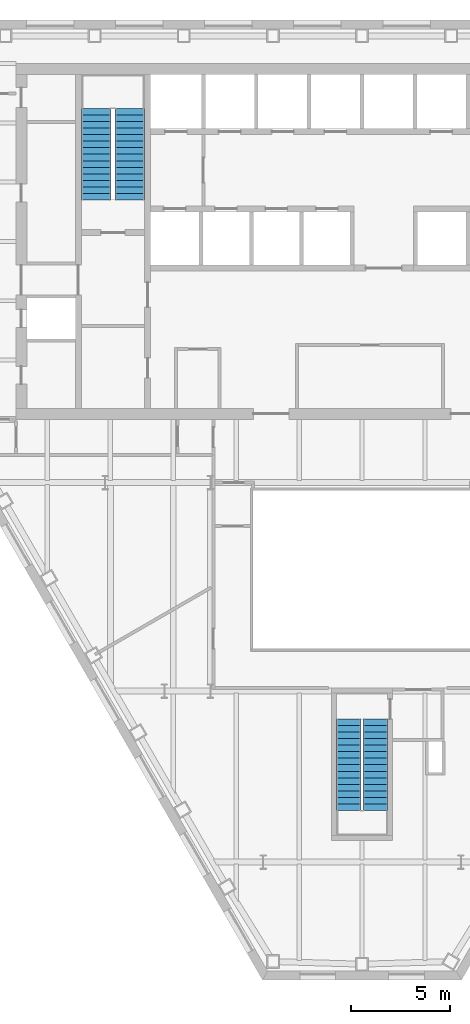
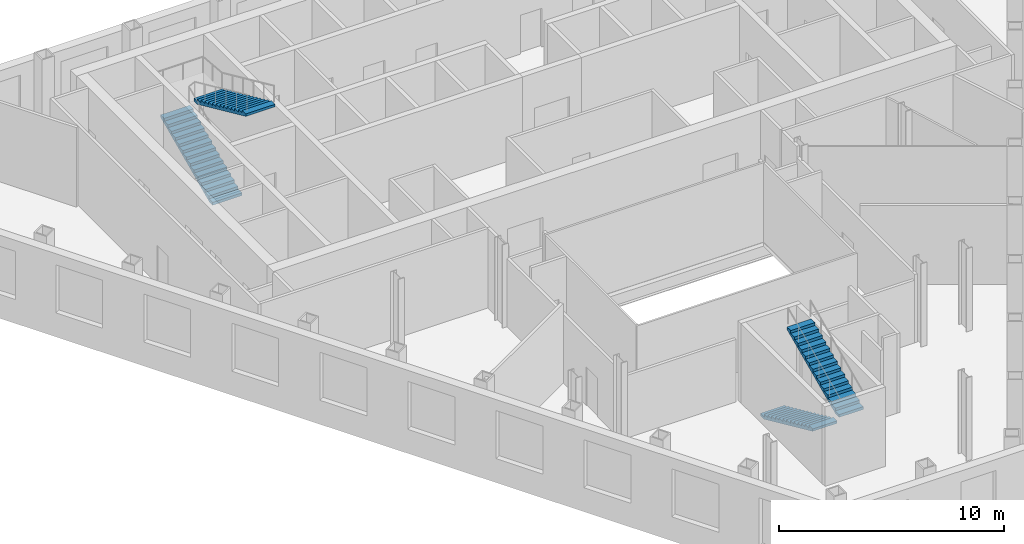
# One storey, part 9 of 11: 4 stair flights, 2 elements without a shape of their own.
"""IFC4 building model written with IfcOpenShell, lengths in metres."""

from ifc_helpers import new_model, si_unit, direction, frame, origin, place, context, subcontext, project, spatial, polygons, material, type_object, element, aggregate, save


model = new_model("IFC4")

# Units and contexts
model_context = context("Model", 3, precision=1e-05, world=origin(), true_north=direction((0.0, 1.0)))
body_context = subcontext(model_context, "Body", "Model", "MODEL_VIEW")
ifc_project = project(units=[si_unit("LENGTHUNIT", "METRE"), si_unit("AREAUNIT", "SQUARE_METRE"), si_unit("VOLUMEUNIT", "CUBIC_METRE"), si_unit("PLANEANGLEUNIT", "RADIAN"), si_unit("MASSUNIT", "GRAM", prefix="KILO")], contexts=[model_context])

# Site, building, storey
site_placement = place(None, origin())
site = spatial("IfcSite", under=ifc_project, at=site_placement, CompositionType="ELEMENT")
building_placement = place(site_placement, origin())
building = spatial("IfcBuilding", under=site, at=building_placement, Name="Njiva Tower", CompositionType="ELEMENT")
storey_placement = place(building_placement, frame((0.0, 0.0, 102.3)))
storey = spatial("IfcBuildingStorey", under=building, at=storey_placement, Name="L21", CompositionType="ELEMENT", Elevation=102.3)

# Stair, stair flights
ifc_material = material(Name="Concrete C40/50", Category="concrete")
stair_type_1 = type_object("IfcStairType", Name="ST1 Exit stair 1250", PredefinedType="HALF_TURN_STAIR", material=ifc_material)
stair_1_placement = place(storey_placement, origin())
stair_1 = element("IfcStair", 1, at=stair_1_placement, inside=storey, type_object=stair_type_1, Name="Stair C", PredefinedType="HALF_TURN_STAIR")
stair_flight_type_1 = type_object("IfcStairFlightType", Name="FL1 Stair flight 1250", PredefinedType="STRAIGHT", material=ifc_material)
stair_flight_1_placement = place(storey_placement, frame((-0.675, -15.16, 0.0), z_axis=(0.0, 0.0, 1.0), x_axis=(0.0, -1.0, 0.0)))
stair_flight_1 = element("IfcStairFlight", 2, at=stair_flight_1_placement, type_object=stair_flight_type_1, Name="ST-C flight 1", NumberOfRisers=15, NumberOfTreads=14, PredefinedType="STRAIGHT", RiserHeight=0.15, TreadLength=0.33, context=body_context, shape_type="Tessellation", body=[
    polygons([(0.0, 0.625, 0.0), (0.0, 0.3125, 0.0), (0.0, 0.0, 0.0), (0.0, -0.3125, 0.0), (0.0, -0.625, 0.0), (0.0, 0.625, 0.15), (0.0, 0.3125, 0.15), (0.0, 0.0, 0.15), (0.0, -0.3125, 0.15), (0.0, -0.625, 0.15), (0.33, 0.625, 0.15), (0.33, 0.3125, 0.15), (0.33, 0.0, 0.15), (0.33, -0.3125, 0.15), (0.33, -0.625, 0.15), (0.33, 0.625, 0.3), (0.33, 0.3125, 0.3), (0.33, 0.0, 0.3), (0.33, -0.3125, 0.3), (0.33, -0.625, 0.3), (0.66, 0.625, 0.3), (0.66, 0.3125, 0.3), (0.66, 0.0, 0.3), (0.66, -0.3125, 0.3), (0.66, -0.625, 0.3), (0.66, 0.625, 0.45), (0.66, 0.3125, 0.45), (0.66, 0.0, 0.45), (0.66, -0.3125, 0.45), (0.66, -0.625, 0.45), (0.99, 0.625, 0.45), (0.99, 0.3125, 0.45), (0.99, 0.0, 0.45), (0.99, -0.3125, 0.45), (0.99, -0.625, 0.45), (0.99, 0.625, 0.6), (0.99, 0.3125, 0.6), (0.99, 0.0, 0.6), (0.99, -0.3125, 0.6), (0.99, -0.625, 0.6), (1.32, 0.625, 0.6), (1.32, 0.3125, 0.6), (1.32, 0.0, 0.6), (1.32, -0.3125, 0.6), (1.32, -0.625, 0.6), (1.32, 0.625, 0.75), (1.32, 0.3125, 0.75), (1.32, 0.0, 0.75), (1.32, -0.3125, 0.75), (1.32, -0.625, 0.75), (1.65, 0.625, 0.75), (1.65, 0.3125, 0.75), (1.65, 0.0, 0.75), (1.65, -0.3125, 0.75), (1.65, -0.625, 0.75), (1.65, 0.625, 0.9), (1.65, 0.3125, 0.9), (1.65, 0.0, 0.9), (1.65, -0.3125, 0.9), (1.65, -0.625, 0.9), (1.98, 0.625, 0.9), (1.98, 0.3125, 0.9), (1.98, 0.0, 0.9), (1.98, -0.3125, 0.9), (1.98, -0.625, 0.9), (1.98, 0.625, 1.05), (1.98, 0.3125, 1.05), (1.98, 0.0, 1.05), (1.98, -0.3125, 1.05), (1.98, -0.625, 1.05), (2.31, 0.625, 1.05), (2.31, 0.3125, 1.05), (2.31, 0.0, 1.05), (2.31, -0.3125, 1.05), (2.31, -0.625, 1.05), (2.31, 0.625, 1.2), (2.31, 0.3125, 1.2), (2.31, 0.0, 1.2), (2.31, -0.3125, 1.2), (2.31, -0.625, 1.2), (2.64, 0.625, 1.2), (2.64, 0.3125, 1.2), (2.64, 0.0, 1.2), (2.64, -0.3125, 1.2), (2.64, -0.625, 1.2), (2.64, 0.625, 1.35), (2.64, 0.3125, 1.35), (2.64, 0.0, 1.35), (2.64, -0.3125, 1.35), (2.64, -0.625, 1.35), (2.97, 0.625, 1.35), (2.97, 0.3125, 1.35), (2.97, 0.0, 1.35), (2.97, -0.3125, 1.35), (2.97, -0.625, 1.35), (2.97, 0.625, 1.5), (2.97, 0.3125, 1.5), (2.97, 0.0, 1.5), (2.97, -0.3125, 1.5), (2.97, -0.625, 1.5), (3.3, 0.625, 1.5), (3.3, 0.3125, 1.5), (3.3, 0.0, 1.5), (3.3, -0.3125, 1.5), (3.3, -0.625, 1.5), (3.3, 0.625, 1.65), (3.3, 0.3125, 1.65), (3.3, 0.0, 1.65), (3.3, -0.3125, 1.65), (3.3, -0.625, 1.65), (3.63, 0.625, 1.65), (3.63, 0.3125, 1.65), (3.63, 0.0, 1.65), (3.63, -0.3125, 1.65), (3.63, -0.625, 1.65), (3.63, 0.625, 1.8), (3.63, 0.3125, 1.8), (3.63, 0.0, 1.8), (3.63, -0.3125, 1.8), (3.63, -0.625, 1.8), (3.96, 0.625, 1.8), (3.96, 0.3125, 1.8), (3.96, 0.0, 1.8), (3.96, -0.3125, 1.8), (3.96, -0.625, 1.8), (3.96, 0.625, 1.95), (3.96, 0.3125, 1.95), (3.96, 0.0, 1.95), (3.96, -0.3125, 1.95), (3.96, -0.625, 1.95), (4.29, 0.625, 1.95), (4.29, 0.3125, 1.95), (4.29, 0.0, 1.95), (4.29, -0.3125, 1.95), (4.29, -0.625, 1.95), (4.29, 0.625, 2.1), (4.29, 0.3125, 2.1), (4.29, 0.0, 2.1), (4.29, -0.3125, 2.1), (4.29, -0.625, 2.1), (4.62, 0.625, 2.1), (4.62, 0.3125, 2.1), (4.62, 0.0, 2.1), (4.62, -0.3125, 2.1), (4.62, -0.625, 2.1), (4.62, 0.625, 1.9682), (4.62, 0.3125, 1.9682), (4.62, 0.0, 1.9682), (4.62, -0.3125, 1.9682), (4.62, -0.625, 1.9682), (0.29, 0.625, 0.0), (0.29, 0.3125, 0.0), (0.29, 0.0, 0.0), (0.29, -0.3125, 0.0), (0.29, -0.625, 0.0)], [[[1, 6, 11, 16, 21, 26, 31, 36, 41, 46, 51, 56, 61, 66, 71, 76, 81, 86, 91, 96, 101, 106, 111, 116, 121, 126, 131, 136, 141, 146, 151]], [[155, 150, 145, 140, 135, 130, 125, 120, 115, 110, 105, 100, 95, 90, 85, 80, 75, 70, 65, 60, 55, 50, 45, 40, 35, 30, 25, 20, 15, 10, 5]], [[6, 1, 2, 7]], [[7, 2, 3, 8]], [[8, 3, 4, 9]], [[9, 4, 5, 10]], [[11, 6, 7, 12]], [[12, 7, 8, 13]], [[13, 8, 9, 14]], [[14, 9, 10, 15]], [[16, 11, 12, 17]], [[17, 12, 13, 18]], [[18, 13, 14, 19]], [[19, 14, 15, 20]], [[21, 16, 17, 22]], [[22, 17, 18, 23]], [[23, 18, 19, 24]], [[24, 19, 20, 25]], [[26, 21, 22, 27]], [[27, 22, 23, 28]], [[28, 23, 24, 29]], [[29, 24, 25, 30]], [[31, 26, 27, 32]], [[32, 27, 28, 33]], [[33, 28, 29, 34]], [[34, 29, 30, 35]], [[36, 31, 32, 37]], [[37, 32, 33, 38]], [[38, 33, 34, 39]], [[39, 34, 35, 40]], [[41, 36, 37, 42]], [[42, 37, 38, 43]], [[43, 38, 39, 44]], [[44, 39, 40, 45]], [[46, 41, 42, 47]], [[47, 42, 43, 48]], [[48, 43, 44, 49]], [[49, 44, 45, 50]], [[51, 46, 47, 52]], [[52, 47, 48, 53]], [[53, 48, 49, 54]], [[54, 49, 50, 55]], [[56, 51, 52, 57]], [[57, 52, 53, 58]], [[58, 53, 54, 59]], [[59, 54, 55, 60]], [[61, 56, 57, 62]], [[62, 57, 58, 63]], [[63, 58, 59, 64]], [[64, 59, 60, 65]], [[66, 61, 62, 67]], [[67, 62, 63, 68]], [[68, 63, 64, 69]], [[69, 64, 65, 70]], [[71, 66, 67, 72]], [[72, 67, 68, 73]], [[73, 68, 69, 74]], [[74, 69, 70, 75]], [[76, 71, 72, 77]], [[77, 72, 73, 78]], [[78, 73, 74, 79]], [[79, 74, 75, 80]], [[81, 76, 77, 82]], [[82, 77, 78, 83]], [[83, 78, 79, 84]], [[84, 79, 80, 85]], [[86, 81, 82, 87]], [[87, 82, 83, 88]], [[88, 83, 84, 89]], [[89, 84, 85, 90]], [[91, 86, 87, 92]], [[92, 87, 88, 93]], [[93, 88, 89, 94]], [[94, 89, 90, 95]], [[96, 91, 92, 97]], [[97, 92, 93, 98]], [[98, 93, 94, 99]], [[99, 94, 95, 100]], [[101, 96, 97, 102]], [[102, 97, 98, 103]], [[103, 98, 99, 104]], [[104, 99, 100, 105]], [[106, 101, 102, 107]], [[107, 102, 103, 108]], [[108, 103, 104, 109]], [[109, 104, 105, 110]], [[111, 106, 107, 112]], [[112, 107, 108, 113]], [[113, 108, 109, 114]], [[114, 109, 110, 115]], [[116, 111, 112, 117]], [[117, 112, 113, 118]], [[118, 113, 114, 119]], [[119, 114, 115, 120]], [[121, 116, 117, 122]], [[122, 117, 118, 123]], [[123, 118, 119, 124]], [[124, 119, 120, 125]], [[126, 121, 122, 127]], [[127, 122, 123, 128]], [[128, 123, 124, 129]], [[129, 124, 125, 130]], [[131, 126, 127, 132]], [[132, 127, 128, 133]], [[133, 128, 129, 134]], [[134, 129, 130, 135]], [[136, 131, 132, 137]], [[137, 132, 133, 138]], [[138, 133, 134, 139]], [[139, 134, 135, 140]], [[141, 136, 137, 142]], [[142, 137, 138, 143]], [[143, 138, 139, 144]], [[144, 139, 140, 145]], [[146, 141, 142, 147]], [[147, 142, 143, 148]], [[148, 143, 144, 149]], [[149, 144, 145, 150]], [[151, 146, 147, 152]], [[152, 147, 148, 153]], [[153, 148, 149, 154]], [[154, 149, 150, 155]], [[1, 151, 152, 2]], [[2, 152, 153, 3]], [[3, 153, 154, 4]], [[4, 154, 155, 5]]], closed=True),
])
stair_flight_2_placement = place(storey_placement, frame((0.675, -19.78, 2.25), z_axis=(0.0, 0.0, 1.0), x_axis=(0.0, 1.0, 0.0)))
stair_flight_2 = element("IfcStairFlight", 3, at=stair_flight_2_placement, type_object=stair_flight_type_1, Name="ST-C flight 2", NumberOfRisers=15, NumberOfTreads=14, PredefinedType="STRAIGHT", RiserHeight=0.15, TreadLength=0.33, context=body_context, shape_type="Tessellation", body=[
    polygons([(0.0, 0.625, 0.0), (0.0, 0.3125, 0.0), (0.0, 0.0, 0.0), (0.0, -0.3125, 0.0), (0.0, -0.625, 0.0), (0.0, 0.625, 0.15), (0.0, 0.3125, 0.15), (0.0, 0.0, 0.15), (0.0, -0.3125, 0.15), (0.0, -0.625, 0.15), (0.33, 0.625, 0.15), (0.33, 0.3125, 0.15), (0.33, 0.0, 0.15), (0.33, -0.3125, 0.15), (0.33, -0.625, 0.15), (0.33, 0.625, 0.3), (0.33, 0.3125, 0.3), (0.33, 0.0, 0.3), (0.33, -0.3125, 0.3), (0.33, -0.625, 0.3), (0.66, 0.625, 0.3), (0.66, 0.3125, 0.3), (0.66, 0.0, 0.3), (0.66, -0.3125, 0.3), (0.66, -0.625, 0.3), (0.66, 0.625, 0.45), (0.66, 0.3125, 0.45), (0.66, 0.0, 0.45), (0.66, -0.3125, 0.45), (0.66, -0.625, 0.45), (0.99, 0.625, 0.45), (0.99, 0.3125, 0.45), (0.99, 0.0, 0.45), (0.99, -0.3125, 0.45), (0.99, -0.625, 0.45), (0.99, 0.625, 0.6), (0.99, 0.3125, 0.6), (0.99, 0.0, 0.6), (0.99, -0.3125, 0.6), (0.99, -0.625, 0.6), (1.32, 0.625, 0.6), (1.32, 0.3125, 0.6), (1.32, 0.0, 0.6), (1.32, -0.3125, 0.6), (1.32, -0.625, 0.6), (1.32, 0.625, 0.75), (1.32, 0.3125, 0.75), (1.32, 0.0, 0.75), (1.32, -0.3125, 0.75), (1.32, -0.625, 0.75), (1.65, 0.625, 0.75), (1.65, 0.3125, 0.75), (1.65, 0.0, 0.75), (1.65, -0.3125, 0.75), (1.65, -0.625, 0.75), (1.65, 0.625, 0.9), (1.65, 0.3125, 0.9), (1.65, 0.0, 0.9), (1.65, -0.3125, 0.9), (1.65, -0.625, 0.9), (1.98, 0.625, 0.9), (1.98, 0.3125, 0.9), (1.98, 0.0, 0.9), (1.98, -0.3125, 0.9), (1.98, -0.625, 0.9), (1.98, 0.625, 1.05), (1.98, 0.3125, 1.05), (1.98, 0.0, 1.05), (1.98, -0.3125, 1.05), (1.98, -0.625, 1.05), (2.31, 0.625, 1.05), (2.31, 0.3125, 1.05), (2.31, 0.0, 1.05), (2.31, -0.3125, 1.05), (2.31, -0.625, 1.05), (2.31, 0.625, 1.2), (2.31, 0.3125, 1.2), (2.31, 0.0, 1.2), (2.31, -0.3125, 1.2), (2.31, -0.625, 1.2), (2.64, 0.625, 1.2), (2.64, 0.3125, 1.2), (2.64, 0.0, 1.2), (2.64, -0.3125, 1.2), (2.64, -0.625, 1.2), (2.64, 0.625, 1.35), (2.64, 0.3125, 1.35), (2.64, 0.0, 1.35), (2.64, -0.3125, 1.35), (2.64, -0.625, 1.35), (2.97, 0.625, 1.35), (2.97, 0.3125, 1.35), (2.97, 0.0, 1.35), (2.97, -0.3125, 1.35), (2.97, -0.625, 1.35), (2.97, 0.625, 1.5), (2.97, 0.3125, 1.5), (2.97, 0.0, 1.5), (2.97, -0.3125, 1.5), (2.97, -0.625, 1.5), (3.3, 0.625, 1.5), (3.3, 0.3125, 1.5), (3.3, 0.0, 1.5), (3.3, -0.3125, 1.5), (3.3, -0.625, 1.5), (3.3, 0.625, 1.65), (3.3, 0.3125, 1.65), (3.3, 0.0, 1.65), (3.3, -0.3125, 1.65), (3.3, -0.625, 1.65), (3.63, 0.625, 1.65), (3.63, 0.3125, 1.65), (3.63, 0.0, 1.65), (3.63, -0.3125, 1.65), (3.63, -0.625, 1.65), (3.63, 0.625, 1.8), (3.63, 0.3125, 1.8), (3.63, 0.0, 1.8), (3.63, -0.3125, 1.8), (3.63, -0.625, 1.8), (3.96, 0.625, 1.8), (3.96, 0.3125, 1.8), (3.96, 0.0, 1.8), (3.96, -0.3125, 1.8), (3.96, -0.625, 1.8), (3.96, 0.625, 1.95), (3.96, 0.3125, 1.95), (3.96, 0.0, 1.95), (3.96, -0.3125, 1.95), (3.96, -0.625, 1.95), (4.29, 0.625, 1.95), (4.29, 0.3125, 1.95), (4.29, 0.0, 1.95), (4.29, -0.3125, 1.95), (4.29, -0.625, 1.95), (4.29, 0.625, 2.1), (4.29, 0.3125, 2.1), (4.29, 0.0, 2.1), (4.29, -0.3125, 2.1), (4.29, -0.625, 2.1), (4.62, 0.625, 2.1), (4.62, 0.3125, 2.1), (4.62, 0.0, 2.1), (4.62, -0.3125, 2.1), (4.62, -0.625, 2.1), (4.62, 0.625, 1.9682), (4.62, 0.3125, 1.9682), (4.62, 0.0, 1.9682), (4.62, -0.3125, 1.9682), (4.62, -0.625, 1.9682), (0.29, 0.625, 0.0), (0.29, 0.3125, 0.0), (0.29, 0.0, 0.0), (0.29, -0.3125, 0.0), (0.29, -0.625, 0.0)], [[[1, 6, 11, 16, 21, 26, 31, 36, 41, 46, 51, 56, 61, 66, 71, 76, 81, 86, 91, 96, 101, 106, 111, 116, 121, 126, 131, 136, 141, 146, 151]], [[155, 150, 145, 140, 135, 130, 125, 120, 115, 110, 105, 100, 95, 90, 85, 80, 75, 70, 65, 60, 55, 50, 45, 40, 35, 30, 25, 20, 15, 10, 5]], [[6, 1, 2, 7]], [[7, 2, 3, 8]], [[8, 3, 4, 9]], [[9, 4, 5, 10]], [[11, 6, 7, 12]], [[12, 7, 8, 13]], [[13, 8, 9, 14]], [[14, 9, 10, 15]], [[16, 11, 12, 17]], [[17, 12, 13, 18]], [[18, 13, 14, 19]], [[19, 14, 15, 20]], [[21, 16, 17, 22]], [[22, 17, 18, 23]], [[23, 18, 19, 24]], [[24, 19, 20, 25]], [[26, 21, 22, 27]], [[27, 22, 23, 28]], [[28, 23, 24, 29]], [[29, 24, 25, 30]], [[31, 26, 27, 32]], [[32, 27, 28, 33]], [[33, 28, 29, 34]], [[34, 29, 30, 35]], [[36, 31, 32, 37]], [[37, 32, 33, 38]], [[38, 33, 34, 39]], [[39, 34, 35, 40]], [[41, 36, 37, 42]], [[42, 37, 38, 43]], [[43, 38, 39, 44]], [[44, 39, 40, 45]], [[46, 41, 42, 47]], [[47, 42, 43, 48]], [[48, 43, 44, 49]], [[49, 44, 45, 50]], [[51, 46, 47, 52]], [[52, 47, 48, 53]], [[53, 48, 49, 54]], [[54, 49, 50, 55]], [[56, 51, 52, 57]], [[57, 52, 53, 58]], [[58, 53, 54, 59]], [[59, 54, 55, 60]], [[61, 56, 57, 62]], [[62, 57, 58, 63]], [[63, 58, 59, 64]], [[64, 59, 60, 65]], [[66, 61, 62, 67]], [[67, 62, 63, 68]], [[68, 63, 64, 69]], [[69, 64, 65, 70]], [[71, 66, 67, 72]], [[72, 67, 68, 73]], [[73, 68, 69, 74]], [[74, 69, 70, 75]], [[76, 71, 72, 77]], [[77, 72, 73, 78]], [[78, 73, 74, 79]], [[79, 74, 75, 80]], [[81, 76, 77, 82]], [[82, 77, 78, 83]], [[83, 78, 79, 84]], [[84, 79, 80, 85]], [[86, 81, 82, 87]], [[87, 82, 83, 88]], [[88, 83, 84, 89]], [[89, 84, 85, 90]], [[91, 86, 87, 92]], [[92, 87, 88, 93]], [[93, 88, 89, 94]], [[94, 89, 90, 95]], [[96, 91, 92, 97]], [[97, 92, 93, 98]], [[98, 93, 94, 99]], [[99, 94, 95, 100]], [[101, 96, 97, 102]], [[102, 97, 98, 103]], [[103, 98, 99, 104]], [[104, 99, 100, 105]], [[106, 101, 102, 107]], [[107, 102, 103, 108]], [[108, 103, 104, 109]], [[109, 104, 105, 110]], [[111, 106, 107, 112]], [[112, 107, 108, 113]], [[113, 108, 109, 114]], [[114, 109, 110, 115]], [[116, 111, 112, 117]], [[117, 112, 113, 118]], [[118, 113, 114, 119]], [[119, 114, 115, 120]], [[121, 116, 117, 122]], [[122, 117, 118, 123]], [[123, 118, 119, 124]], [[124, 119, 120, 125]], [[126, 121, 122, 127]], [[127, 122, 123, 128]], [[128, 123, 124, 129]], [[129, 124, 125, 130]], [[131, 126, 127, 132]], [[132, 127, 128, 133]], [[133, 128, 129, 134]], [[134, 129, 130, 135]], [[136, 131, 132, 137]], [[137, 132, 133, 138]], [[138, 133, 134, 139]], [[139, 134, 135, 140]], [[141, 136, 137, 142]], [[142, 137, 138, 143]], [[143, 138, 139, 144]], [[144, 139, 140, 145]], [[146, 141, 142, 147]], [[147, 142, 143, 148]], [[148, 143, 144, 149]], [[149, 144, 145, 150]], [[151, 146, 147, 152]], [[152, 147, 148, 153]], [[153, 148, 149, 154]], [[154, 149, 150, 155]], [[1, 151, 152, 2]], [[2, 152, 153, 3]], [[3, 153, 154, 4]], [[4, 154, 155, 5]]], closed=True),
])
aggregate(stair_1, [stair_flight_1, stair_flight_2])

stair_type_2 = type_object("IfcStairType", Name="ST4 Exit stair 1500", PredefinedType="HALF_TURN_STAIR", material=ifc_material)
stair_2_placement = place(storey_placement, origin())
stair_2 = element("IfcStair", 4, at=stair_2_placement, inside=storey, type_object=stair_type_2, Name="Stair A", PredefinedType="HALF_TURN_STAIR")
stair_flight_type_2 = type_object("IfcStairFlightType", Name="FL4 Stair flight 1500", PredefinedType="STRAIGHT", material=ifc_material)
stair_flight_3_placement = place(storey_placement, frame((-13.45, 11.1, 0.0), z_axis=(0.0, 0.0, 1.0), x_axis=(0.0, 1.0, 0.0)))
stair_flight_3 = element("IfcStairFlight", 5, at=stair_flight_3_placement, type_object=stair_flight_type_2, Name="ST-A flight 1", NumberOfRisers=15, NumberOfTreads=14, PredefinedType="STRAIGHT", RiserHeight=0.15, TreadLength=0.33, context=body_context, shape_type="Tessellation", body=[
    polygons([(0.0, 0.75, 0.0), (0.0, 0.375, 0.0), (0.0, 0.0, 0.0), (0.0, -0.375, 0.0), (0.0, -0.75, 0.0), (0.0, 0.75, 0.15), (0.0, 0.375, 0.15), (0.0, 0.0, 0.15), (0.0, -0.375, 0.15), (0.0, -0.75, 0.15), (0.33, 0.75, 0.15), (0.33, 0.375, 0.15), (0.33, 0.0, 0.15), (0.33, -0.375, 0.15), (0.33, -0.75, 0.15), (0.33, 0.75, 0.3), (0.33, 0.375, 0.3), (0.33, 0.0, 0.3), (0.33, -0.375, 0.3), (0.33, -0.75, 0.3), (0.66, 0.75, 0.3), (0.66, 0.375, 0.3), (0.66, 0.0, 0.3), (0.66, -0.375, 0.3), (0.66, -0.75, 0.3), (0.66, 0.75, 0.45), (0.66, 0.375, 0.45), (0.66, 0.0, 0.45), (0.66, -0.375, 0.45), (0.66, -0.75, 0.45), (0.99, 0.75, 0.45), (0.99, 0.375, 0.45), (0.99, 0.0, 0.45), (0.99, -0.375, 0.45), (0.99, -0.75, 0.45), (0.99, 0.75, 0.6), (0.99, 0.375, 0.6), (0.99, 0.0, 0.6), (0.99, -0.375, 0.6), (0.99, -0.75, 0.6), (1.32, 0.75, 0.6), (1.32, 0.375, 0.6), (1.32, 0.0, 0.6), (1.32, -0.375, 0.6), (1.32, -0.75, 0.6), (1.32, 0.75, 0.75), (1.32, 0.375, 0.75), (1.32, 0.0, 0.75), (1.32, -0.375, 0.75), (1.32, -0.75, 0.75), (1.65, 0.75, 0.75), (1.65, 0.375, 0.75), (1.65, 0.0, 0.75), (1.65, -0.375, 0.75), (1.65, -0.75, 0.75), (1.65, 0.75, 0.9), (1.65, 0.375, 0.9), (1.65, 0.0, 0.9), (1.65, -0.375, 0.9), (1.65, -0.75, 0.9), (1.98, 0.75, 0.9), (1.98, 0.375, 0.9), (1.98, 0.0, 0.9), (1.98, -0.375, 0.9), (1.98, -0.75, 0.9), (1.98, 0.75, 1.05), (1.98, 0.375, 1.05), (1.98, 0.0, 1.05), (1.98, -0.375, 1.05), (1.98, -0.75, 1.05), (2.31, 0.75, 1.05), (2.31, 0.375, 1.05), (2.31, 0.0, 1.05), (2.31, -0.375, 1.05), (2.31, -0.75, 1.05), (2.31, 0.75, 1.2), (2.31, 0.375, 1.2), (2.31, 0.0, 1.2), (2.31, -0.375, 1.2), (2.31, -0.75, 1.2), (2.64, 0.75, 1.2), (2.64, 0.375, 1.2), (2.64, 0.0, 1.2), (2.64, -0.375, 1.2), (2.64, -0.75, 1.2), (2.64, 0.75, 1.35), (2.64, 0.375, 1.35), (2.64, 0.0, 1.35), (2.64, -0.375, 1.35), (2.64, -0.75, 1.35), (2.97, 0.75, 1.35), (2.97, 0.375, 1.35), (2.97, 0.0, 1.35), (2.97, -0.375, 1.35), (2.97, -0.75, 1.35), (2.97, 0.75, 1.5), (2.97, 0.375, 1.5), (2.97, 0.0, 1.5), (2.97, -0.375, 1.5), (2.97, -0.75, 1.5), (3.3, 0.75, 1.5), (3.3, 0.375, 1.5), (3.3, 0.0, 1.5), (3.3, -0.375, 1.5), (3.3, -0.75, 1.5), (3.3, 0.75, 1.65), (3.3, 0.375, 1.65), (3.3, 0.0, 1.65), (3.3, -0.375, 1.65), (3.3, -0.75, 1.65), (3.63, 0.75, 1.65), (3.63, 0.375, 1.65), (3.63, 0.0, 1.65), (3.63, -0.375, 1.65), (3.63, -0.75, 1.65), (3.63, 0.75, 1.8), (3.63, 0.375, 1.8), (3.63, 0.0, 1.8), (3.63, -0.375, 1.8), (3.63, -0.75, 1.8), (3.96, 0.75, 1.8), (3.96, 0.375, 1.8), (3.96, 0.0, 1.8), (3.96, -0.375, 1.8), (3.96, -0.75, 1.8), (3.96, 0.75, 1.95), (3.96, 0.375, 1.95), (3.96, 0.0, 1.95), (3.96, -0.375, 1.95), (3.96, -0.75, 1.95), (4.29, 0.75, 1.95), (4.29, 0.375, 1.95), (4.29, 0.0, 1.95), (4.29, -0.375, 1.95), (4.29, -0.75, 1.95), (4.29, 0.75, 2.1), (4.29, 0.375, 2.1), (4.29, 0.0, 2.1), (4.29, -0.375, 2.1), (4.29, -0.75, 2.1), (4.62, 0.75, 2.1), (4.62, 0.375, 2.1), (4.62, 0.0, 2.1), (4.62, -0.375, 2.1), (4.62, -0.75, 2.1), (4.62, 0.75, 1.9682), (4.62, 0.375, 1.9682), (4.62, 0.0, 1.9682), (4.62, -0.375, 1.9682), (4.62, -0.75, 1.9682), (0.29, 0.75, 0.0), (0.29, 0.375, 0.0), (0.29, 0.0, 0.0), (0.29, -0.375, 0.0), (0.29, -0.75, 0.0)], [[[1, 6, 11, 16, 21, 26, 31, 36, 41, 46, 51, 56, 61, 66, 71, 76, 81, 86, 91, 96, 101, 106, 111, 116, 121, 126, 131, 136, 141, 146, 151]], [[155, 150, 145, 140, 135, 130, 125, 120, 115, 110, 105, 100, 95, 90, 85, 80, 75, 70, 65, 60, 55, 50, 45, 40, 35, 30, 25, 20, 15, 10, 5]], [[6, 1, 2, 7]], [[7, 2, 3, 8]], [[8, 3, 4, 9]], [[9, 4, 5, 10]], [[11, 6, 7, 12]], [[12, 7, 8, 13]], [[13, 8, 9, 14]], [[14, 9, 10, 15]], [[16, 11, 12, 17]], [[17, 12, 13, 18]], [[18, 13, 14, 19]], [[19, 14, 15, 20]], [[21, 16, 17, 22]], [[22, 17, 18, 23]], [[23, 18, 19, 24]], [[24, 19, 20, 25]], [[26, 21, 22, 27]], [[27, 22, 23, 28]], [[28, 23, 24, 29]], [[29, 24, 25, 30]], [[31, 26, 27, 32]], [[32, 27, 28, 33]], [[33, 28, 29, 34]], [[34, 29, 30, 35]], [[36, 31, 32, 37]], [[37, 32, 33, 38]], [[38, 33, 34, 39]], [[39, 34, 35, 40]], [[41, 36, 37, 42]], [[42, 37, 38, 43]], [[43, 38, 39, 44]], [[44, 39, 40, 45]], [[46, 41, 42, 47]], [[47, 42, 43, 48]], [[48, 43, 44, 49]], [[49, 44, 45, 50]], [[51, 46, 47, 52]], [[52, 47, 48, 53]], [[53, 48, 49, 54]], [[54, 49, 50, 55]], [[56, 51, 52, 57]], [[57, 52, 53, 58]], [[58, 53, 54, 59]], [[59, 54, 55, 60]], [[61, 56, 57, 62]], [[62, 57, 58, 63]], [[63, 58, 59, 64]], [[64, 59, 60, 65]], [[66, 61, 62, 67]], [[67, 62, 63, 68]], [[68, 63, 64, 69]], [[69, 64, 65, 70]], [[71, 66, 67, 72]], [[72, 67, 68, 73]], [[73, 68, 69, 74]], [[74, 69, 70, 75]], [[76, 71, 72, 77]], [[77, 72, 73, 78]], [[78, 73, 74, 79]], [[79, 74, 75, 80]], [[81, 76, 77, 82]], [[82, 77, 78, 83]], [[83, 78, 79, 84]], [[84, 79, 80, 85]], [[86, 81, 82, 87]], [[87, 82, 83, 88]], [[88, 83, 84, 89]], [[89, 84, 85, 90]], [[91, 86, 87, 92]], [[92, 87, 88, 93]], [[93, 88, 89, 94]], [[94, 89, 90, 95]], [[96, 91, 92, 97]], [[97, 92, 93, 98]], [[98, 93, 94, 99]], [[99, 94, 95, 100]], [[101, 96, 97, 102]], [[102, 97, 98, 103]], [[103, 98, 99, 104]], [[104, 99, 100, 105]], [[106, 101, 102, 107]], [[107, 102, 103, 108]], [[108, 103, 104, 109]], [[109, 104, 105, 110]], [[111, 106, 107, 112]], [[112, 107, 108, 113]], [[113, 108, 109, 114]], [[114, 109, 110, 115]], [[116, 111, 112, 117]], [[117, 112, 113, 118]], [[118, 113, 114, 119]], [[119, 114, 115, 120]], [[121, 116, 117, 122]], [[122, 117, 118, 123]], [[123, 118, 119, 124]], [[124, 119, 120, 125]], [[126, 121, 122, 127]], [[127, 122, 123, 128]], [[128, 123, 124, 129]], [[129, 124, 125, 130]], [[131, 126, 127, 132]], [[132, 127, 128, 133]], [[133, 128, 129, 134]], [[134, 129, 130, 135]], [[136, 131, 132, 137]], [[137, 132, 133, 138]], [[138, 133, 134, 139]], [[139, 134, 135, 140]], [[141, 136, 137, 142]], [[142, 137, 138, 143]], [[143, 138, 139, 144]], [[144, 139, 140, 145]], [[146, 141, 142, 147]], [[147, 142, 143, 148]], [[148, 143, 144, 149]], [[149, 144, 145, 150]], [[151, 146, 147, 152]], [[152, 147, 148, 153]], [[153, 148, 149, 154]], [[154, 149, 150, 155]], [[1, 151, 152, 2]], [[2, 152, 153, 3]], [[3, 153, 154, 4]], [[4, 154, 155, 5]]], closed=True),
])
stair_flight_4_placement = place(storey_placement, frame((-11.75, 15.72, 2.25), z_axis=(0.0, 0.0, 1.0), x_axis=(0.0, -1.0, 0.0)))
stair_flight_4 = element("IfcStairFlight", 6, at=stair_flight_4_placement, type_object=stair_flight_type_2, Name="ST-A flight 2", NumberOfRisers=15, NumberOfTreads=14, PredefinedType="STRAIGHT", RiserHeight=0.15, TreadLength=0.33, context=body_context, shape_type="Tessellation", body=[
    polygons([(0.0, 0.75, 0.0), (0.0, 0.375, 0.0), (0.0, 0.0, 0.0), (0.0, -0.375, 0.0), (0.0, -0.75, 0.0), (0.0, 0.75, 0.15), (0.0, 0.375, 0.15), (0.0, 0.0, 0.15), (0.0, -0.375, 0.15), (0.0, -0.75, 0.15), (0.33, 0.75, 0.15), (0.33, 0.375, 0.15), (0.33, 0.0, 0.15), (0.33, -0.375, 0.15), (0.33, -0.75, 0.15), (0.33, 0.75, 0.3), (0.33, 0.375, 0.3), (0.33, 0.0, 0.3), (0.33, -0.375, 0.3), (0.33, -0.75, 0.3), (0.66, 0.75, 0.3), (0.66, 0.375, 0.3), (0.66, 0.0, 0.3), (0.66, -0.375, 0.3), (0.66, -0.75, 0.3), (0.66, 0.75, 0.45), (0.66, 0.375, 0.45), (0.66, 0.0, 0.45), (0.66, -0.375, 0.45), (0.66, -0.75, 0.45), (0.99, 0.75, 0.45), (0.99, 0.375, 0.45), (0.99, 0.0, 0.45), (0.99, -0.375, 0.45), (0.99, -0.75, 0.45), (0.99, 0.75, 0.6), (0.99, 0.375, 0.6), (0.99, 0.0, 0.6), (0.99, -0.375, 0.6), (0.99, -0.75, 0.6), (1.32, 0.75, 0.6), (1.32, 0.375, 0.6), (1.32, 0.0, 0.6), (1.32, -0.375, 0.6), (1.32, -0.75, 0.6), (1.32, 0.75, 0.75), (1.32, 0.375, 0.75), (1.32, 0.0, 0.75), (1.32, -0.375, 0.75), (1.32, -0.75, 0.75), (1.65, 0.75, 0.75), (1.65, 0.375, 0.75), (1.65, 0.0, 0.75), (1.65, -0.375, 0.75), (1.65, -0.75, 0.75), (1.65, 0.75, 0.9), (1.65, 0.375, 0.9), (1.65, 0.0, 0.9), (1.65, -0.375, 0.9), (1.65, -0.75, 0.9), (1.98, 0.75, 0.9), (1.98, 0.375, 0.9), (1.98, 0.0, 0.9), (1.98, -0.375, 0.9), (1.98, -0.75, 0.9), (1.98, 0.75, 1.05), (1.98, 0.375, 1.05), (1.98, 0.0, 1.05), (1.98, -0.375, 1.05), (1.98, -0.75, 1.05), (2.31, 0.75, 1.05), (2.31, 0.375, 1.05), (2.31, 0.0, 1.05), (2.31, -0.375, 1.05), (2.31, -0.75, 1.05), (2.31, 0.75, 1.2), (2.31, 0.375, 1.2), (2.31, 0.0, 1.2), (2.31, -0.375, 1.2), (2.31, -0.75, 1.2), (2.64, 0.75, 1.2), (2.64, 0.375, 1.2), (2.64, 0.0, 1.2), (2.64, -0.375, 1.2), (2.64, -0.75, 1.2), (2.64, 0.75, 1.35), (2.64, 0.375, 1.35), (2.64, 0.0, 1.35), (2.64, -0.375, 1.35), (2.64, -0.75, 1.35), (2.97, 0.75, 1.35), (2.97, 0.375, 1.35), (2.97, 0.0, 1.35), (2.97, -0.375, 1.35), (2.97, -0.75, 1.35), (2.97, 0.75, 1.5), (2.97, 0.375, 1.5), (2.97, 0.0, 1.5), (2.97, -0.375, 1.5), (2.97, -0.75, 1.5), (3.3, 0.75, 1.5), (3.3, 0.375, 1.5), (3.3, 0.0, 1.5), (3.3, -0.375, 1.5), (3.3, -0.75, 1.5), (3.3, 0.75, 1.65), (3.3, 0.375, 1.65), (3.3, 0.0, 1.65), (3.3, -0.375, 1.65), (3.3, -0.75, 1.65), (3.63, 0.75, 1.65), (3.63, 0.375, 1.65), (3.63, 0.0, 1.65), (3.63, -0.375, 1.65), (3.63, -0.75, 1.65), (3.63, 0.75, 1.8), (3.63, 0.375, 1.8), (3.63, 0.0, 1.8), (3.63, -0.375, 1.8), (3.63, -0.75, 1.8), (3.96, 0.75, 1.8), (3.96, 0.375, 1.8), (3.96, 0.0, 1.8), (3.96, -0.375, 1.8), (3.96, -0.75, 1.8), (3.96, 0.75, 1.95), (3.96, 0.375, 1.95), (3.96, 0.0, 1.95), (3.96, -0.375, 1.95), (3.96, -0.75, 1.95), (4.29, 0.75, 1.95), (4.29, 0.375, 1.95), (4.29, 0.0, 1.95), (4.29, -0.375, 1.95), (4.29, -0.75, 1.95), (4.29, 0.75, 2.1), (4.29, 0.375, 2.1), (4.29, 0.0, 2.1), (4.29, -0.375, 2.1), (4.29, -0.75, 2.1), (4.62, 0.75, 2.1), (4.62, 0.375, 2.1), (4.62, 0.0, 2.1), (4.62, -0.375, 2.1), (4.62, -0.75, 2.1), (4.62, 0.75, 1.9682), (4.62, 0.375, 1.9682), (4.62, 0.0, 1.9682), (4.62, -0.375, 1.9682), (4.62, -0.75, 1.9682), (0.29, 0.75, 0.0), (0.29, 0.375, 0.0), (0.29, 0.0, 0.0), (0.29, -0.375, 0.0), (0.29, -0.75, 0.0)], [[[1, 6, 11, 16, 21, 26, 31, 36, 41, 46, 51, 56, 61, 66, 71, 76, 81, 86, 91, 96, 101, 106, 111, 116, 121, 126, 131, 136, 141, 146, 151]], [[155, 150, 145, 140, 135, 130, 125, 120, 115, 110, 105, 100, 95, 90, 85, 80, 75, 70, 65, 60, 55, 50, 45, 40, 35, 30, 25, 20, 15, 10, 5]], [[6, 1, 2, 7]], [[7, 2, 3, 8]], [[8, 3, 4, 9]], [[9, 4, 5, 10]], [[11, 6, 7, 12]], [[12, 7, 8, 13]], [[13, 8, 9, 14]], [[14, 9, 10, 15]], [[16, 11, 12, 17]], [[17, 12, 13, 18]], [[18, 13, 14, 19]], [[19, 14, 15, 20]], [[21, 16, 17, 22]], [[22, 17, 18, 23]], [[23, 18, 19, 24]], [[24, 19, 20, 25]], [[26, 21, 22, 27]], [[27, 22, 23, 28]], [[28, 23, 24, 29]], [[29, 24, 25, 30]], [[31, 26, 27, 32]], [[32, 27, 28, 33]], [[33, 28, 29, 34]], [[34, 29, 30, 35]], [[36, 31, 32, 37]], [[37, 32, 33, 38]], [[38, 33, 34, 39]], [[39, 34, 35, 40]], [[41, 36, 37, 42]], [[42, 37, 38, 43]], [[43, 38, 39, 44]], [[44, 39, 40, 45]], [[46, 41, 42, 47]], [[47, 42, 43, 48]], [[48, 43, 44, 49]], [[49, 44, 45, 50]], [[51, 46, 47, 52]], [[52, 47, 48, 53]], [[53, 48, 49, 54]], [[54, 49, 50, 55]], [[56, 51, 52, 57]], [[57, 52, 53, 58]], [[58, 53, 54, 59]], [[59, 54, 55, 60]], [[61, 56, 57, 62]], [[62, 57, 58, 63]], [[63, 58, 59, 64]], [[64, 59, 60, 65]], [[66, 61, 62, 67]], [[67, 62, 63, 68]], [[68, 63, 64, 69]], [[69, 64, 65, 70]], [[71, 66, 67, 72]], [[72, 67, 68, 73]], [[73, 68, 69, 74]], [[74, 69, 70, 75]], [[76, 71, 72, 77]], [[77, 72, 73, 78]], [[78, 73, 74, 79]], [[79, 74, 75, 80]], [[81, 76, 77, 82]], [[82, 77, 78, 83]], [[83, 78, 79, 84]], [[84, 79, 80, 85]], [[86, 81, 82, 87]], [[87, 82, 83, 88]], [[88, 83, 84, 89]], [[89, 84, 85, 90]], [[91, 86, 87, 92]], [[92, 87, 88, 93]], [[93, 88, 89, 94]], [[94, 89, 90, 95]], [[96, 91, 92, 97]], [[97, 92, 93, 98]], [[98, 93, 94, 99]], [[99, 94, 95, 100]], [[101, 96, 97, 102]], [[102, 97, 98, 103]], [[103, 98, 99, 104]], [[104, 99, 100, 105]], [[106, 101, 102, 107]], [[107, 102, 103, 108]], [[108, 103, 104, 109]], [[109, 104, 105, 110]], [[111, 106, 107, 112]], [[112, 107, 108, 113]], [[113, 108, 109, 114]], [[114, 109, 110, 115]], [[116, 111, 112, 117]], [[117, 112, 113, 118]], [[118, 113, 114, 119]], [[119, 114, 115, 120]], [[121, 116, 117, 122]], [[122, 117, 118, 123]], [[123, 118, 119, 124]], [[124, 119, 120, 125]], [[126, 121, 122, 127]], [[127, 122, 123, 128]], [[128, 123, 124, 129]], [[129, 124, 125, 130]], [[131, 126, 127, 132]], [[132, 127, 128, 133]], [[133, 128, 129, 134]], [[134, 129, 130, 135]], [[136, 131, 132, 137]], [[137, 132, 133, 138]], [[138, 133, 134, 139]], [[139, 134, 135, 140]], [[141, 136, 137, 142]], [[142, 137, 138, 143]], [[143, 138, 139, 144]], [[144, 139, 140, 145]], [[146, 141, 142, 147]], [[147, 142, 143, 148]], [[148, 143, 144, 149]], [[149, 144, 145, 150]], [[151, 146, 147, 152]], [[152, 147, 148, 153]], [[153, 148, 149, 154]], [[154, 149, 150, 155]], [[1, 151, 152, 2]], [[2, 152, 153, 3]], [[3, 153, 154, 4]], [[4, 154, 155, 5]]], closed=True),
])
aggregate(stair_2, [stair_flight_3, stair_flight_4])

save(model, "model.ifc")
